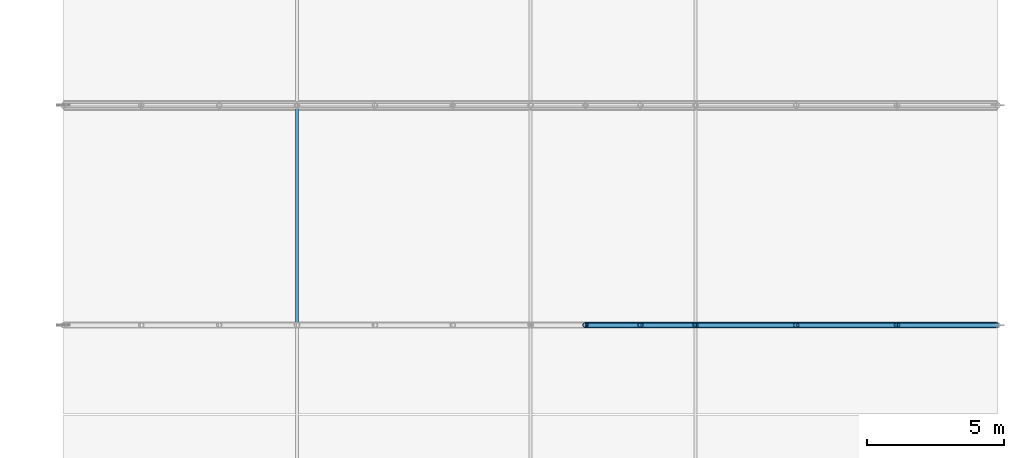
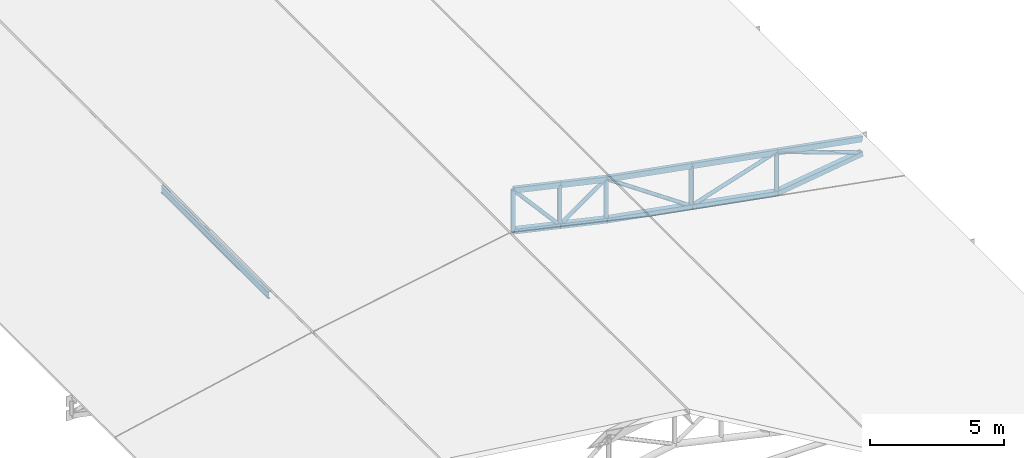
# One storey, part 12 of 28: 16 members, 5 beams.
"""IFC4 building model written with IfcOpenShell, lengths in metres."""

import ifcopenshell
import ifcopenshell.guid

model = None  # the IFC model being written
_history = None  # IfcOwnerHistory: only IFC2X3 demands one
_inside = {}  # id of a spatial element -> (the spatial element, [elements in it])
_under = {}  # id of a project, library or spatial element -> (it, [spatial elements below it])
_declared = {}  # id of a project -> (the project, [libraries it declares])
_typed = {}  # id of a type object -> (the type object, [elements of that type])
_made_of = {}  # id of a material, layer set ... -> (it, [elements and type objects made of it])


def new_model(schema):
    """Start an empty IFC model of exactly this schema.

    Asked for "IFC4X3", IfcOpenShell would pick the latest addendum, in which some entities
    have other attributes; the version numbers below select the first issue.
    IFC2X3 requires an IfcOwnerHistory on every rooted entity: one is made here for all.
    """
    global model, _history
    if schema == "IFC4X3":
        model = ifcopenshell.file(schema_version=(4, 3, 0, 0))
    else:
        model = ifcopenshell.file(schema=schema)
    _inside.clear()
    _under.clear()
    _declared.clear()
    _typed.clear()
    _made_of.clear()
    _history = None
    if model.schema == "IFC2X3":
        org = make("IfcOrganization", Name="unknown")
        user = make(
            "IfcPersonAndOrganization",
            ThePerson=make("IfcPerson", FamilyName="unknown"),
            TheOrganization=org,
        )
        app = make(
            "IfcApplication",
            ApplicationDeveloper=org,
            Version="unknown",
            ApplicationFullName="unknown",
            ApplicationIdentifier="unknown",
        )
        _history = make(
            "IfcOwnerHistory",
            OwningUser=user,
            OwningApplication=app,
            ChangeAction="ADDED",
            CreationDate=0,
        )
    return model


def make(cls, **values):
    """One entity of the class cls with the attributes given. An attribute that is None is left unset."""
    return model.create_entity(
        cls, **{name: value for name, value in values.items() if value is not None}
    )


def rooted(cls, **values):
    """An entity with a GlobalId (a new one), such as an element, a storey or a relation."""
    return make(cls, GlobalId=ifcopenshell.guid.new(), OwnerHistory=_history, **values)


def si_unit(unit_type, name, prefix=None):
    """IfcSIUnit, for example si_unit("LENGTHUNIT", "METRE", prefix="MILLI")."""
    return make("IfcSIUnit", UnitType=unit_type, Prefix=prefix, Name=name)


def assignment(units):
    """IfcUnitAssignment: the units of a project."""
    return None if units is None else make("IfcUnitAssignment", Units=units)


def point(xyz):
    """IfcCartesianPoint."""
    return None if xyz is None else make("IfcCartesianPoint", Coordinates=xyz)


def direction(xyz):
    """IfcDirection."""
    return None if xyz is None else make("IfcDirection", DirectionRatios=xyz)


def frame(location, z_axis=None, x_axis=None):
    """IfcAxis2Placement3D, a coordinate frame: its origin and axes. An axis left out is left unset."""
    return make(
        "IfcAxis2Placement3D",
        Location=point(location),
        Axis=direction(z_axis),
        RefDirection=direction(x_axis),
    )


def frame_2d(location, x_axis=None):
    """IfcAxis2Placement2D, a coordinate frame in the plane: its origin and x axis."""
    return make(
        "IfcAxis2Placement2D", Location=point(location), RefDirection=direction(x_axis)
    )


def origin():
    """The frame at (0, 0, 0) with its axes left unset."""
    return frame((0.0, 0.0, 0.0))


def origin_2d():
    """The frame at (0, 0) in the plane with its x axis left unset."""
    return frame_2d((0.0, 0.0))


def place(relative_to, where):
    """IfcLocalPlacement: puts the frame where relative to a parent placement (None: the world)."""
    return make(
        "IfcLocalPlacement", PlacementRelTo=relative_to, RelativePlacement=where
    )


def context(
    kind, dimensions, precision=None, world=None, true_north=None, identifier=None
):
    """IfcGeometricRepresentationContext, for example the 3D "Model" context."""
    return make(
        "IfcGeometricRepresentationContext",
        ContextIdentifier=identifier,
        ContextType=kind,
        CoordinateSpaceDimension=dimensions,
        Precision=precision,
        WorldCoordinateSystem=world,
        TrueNorth=true_north,
    )


def subcontext(parent, identifier, kind, view, scale=None):
    """IfcGeometricRepresentationSubContext, for example "Body" below "Model"."""
    return make(
        "IfcGeometricRepresentationSubContext",
        ContextIdentifier=identifier,
        ContextType=kind,
        ParentContext=parent,
        TargetScale=scale,
        TargetView=view,
    )


def project(units=None, contexts=None):
    """IfcProject with its units and contexts."""
    return rooted(
        "IfcProject",
        Name="project",
        RepresentationContexts=contexts,
        UnitsInContext=assignment(units),
    )


def spatial(cls, under=None, at=None, **own):
    """A site, building, storey or space (cls), placed at a placement, below another one or the project."""
    s = rooted(cls, ObjectPlacement=at, **own)
    if under is not None:
        _under.setdefault(under.id(), (under, []))[1].append(s)
    return s


def profile(cls, at=None, kind="AREA", **sizes):
    """A parametric profile (cls). Its sizes go by their IFC names, for example OverallWidth=200.0."""
    return make(cls, ProfileType=kind, Position=at, **sizes)


def hollow_rectangle(**sizes):
    """IfcRectangleHollowProfileDef."""
    return profile("IfcRectangleHollowProfileDef", **sizes)


def hollow_circle(**sizes):
    """IfcCircleHollowProfileDef."""
    return profile("IfcCircleHollowProfileDef", **sizes)


def i_section(**sizes):
    """IfcIShapeProfileDef."""
    return profile("IfcIShapeProfileDef", **sizes)


def extrude(swept, where, along, depth):
    """IfcExtrudedAreaSolid: the profile swept, set in the frame where, extruded along a direction by depth."""
    return make(
        "IfcExtrudedAreaSolid",
        SweptArea=swept,
        Position=where,
        ExtrudedDirection=direction(along),
        Depth=depth,
    )


def shape(context_of_items, identifier, shape_type, items):
    """IfcShapeRepresentation: the items that make up one representation, for example the "Body"."""
    return make(
        "IfcShapeRepresentation",
        ContextOfItems=context_of_items,
        RepresentationIdentifier=identifier,
        RepresentationType=shape_type,
        Items=items,
    )


def material(Name=None, Category=None):
    """IfcMaterial."""
    return make("IfcMaterial", Name=Name, Category=Category)


def material_profile(
    of_material, cross_section, Name=None, Category=None, Priority=None
):
    """IfcMaterialProfile: a cross section and its material."""
    return make(
        "IfcMaterialProfile",
        Name=Name,
        Material=of_material,
        Profile=cross_section,
        Priority=Priority,
        Category=Category,
    )


def profile_set(profiles, Name=None, composite=None):
    """IfcMaterialProfileSet."""
    return make(
        "IfcMaterialProfileSet",
        Name=Name,
        MaterialProfiles=profiles,
        CompositeProfile=composite,
    )


def made_of(thing, what):
    """Note that an element or type object is made of a material, layer set ...; save() writes the relation."""
    if what is not None:
        _made_of.setdefault(what.id(), (what, []))[1].append(thing)
    return thing


def type_object(cls, material=None, **own):
    """A type object (cls), such as IfcWallType, which elements share."""
    return made_of(rooted(cls, **own), material)


def element(
    cls,
    number,
    at=None,
    inside=None,
    cuts=None,
    type_object=None,
    material=None,
    context=None,
    identifier="Body",
    shape_type=None,
    held_by="IfcProductDefinitionShape",
    body=None,
    shapes=None,
    **own,
):
    """One element of the class cls, such as IfcWall. Its Tag is "e" and its number.

    at: its placement. inside: the storey or other place that contains it. cuts: it is an
    opening in that element (IfcRelVoidsElement). A single representation is given by context,
    identifier, shape_type and body (its items); several are given by shapes. held_by: the class
    of the entity that holds the representations. save() writes the other relations.
    """
    e = rooted(cls, Tag="e%d" % number, ObjectPlacement=at, **own)
    if body is not None:
        shapes = [shape(context, identifier, shape_type, body)]
    if shapes is not None:
        e.Representation = make(held_by, Representations=shapes)
    if inside is not None:
        _inside.setdefault(inside.id(), (inside, []))[1].append(e)
    if cuts is not None:
        rooted(
            "IfcRelVoidsElement", RelatingBuildingElement=cuts, RelatedOpeningElement=e
        )
    if type_object is not None:
        _typed.setdefault(type_object.id(), (type_object, []))[1].append(e)
    return made_of(e, material)


def aggregate(whole, parts):
    """IfcRelAggregates: a whole, such as a stair, and the parts it consists of."""
    return rooted("IfcRelAggregates", RelatingObject=whole, RelatedObjects=parts)


def save(model, path):
    """Write the relations noted so far, then the file.

    IfcRelAggregates (storeys below a building ...), IfcRelContainedInSpatialStructure (elements
    in a storey), IfcRelDefinesByType, IfcRelAssociatesMaterial and IfcRelDeclares: one each for
    every whole, place, type object, material and project.
    """
    for whole, parts in _under.values():
        aggregate(whole, parts)
    for where, things in _inside.values():
        rooted(
            "IfcRelContainedInSpatialStructure",
            RelatedElements=things,
            RelatingStructure=where,
        )
    for kind, things in _typed.values():
        rooted("IfcRelDefinesByType", RelatedObjects=things, RelatingType=kind)
    for what, things in _made_of.values():
        rooted("IfcRelAssociatesMaterial", RelatedObjects=things, RelatingMaterial=what)
    for by, libraries in _declared.values():
        rooted("IfcRelDeclares", RelatingContext=by, RelatedDefinitions=libraries)
    model.write(path)


model = new_model("IFC4")

# Units and contexts
model_context = context("Model", 3, precision=1e-05, world=origin(), true_north=direction((0.0, 1.0)))
body_context = subcontext(model_context, "Body", "Model", "MODEL_VIEW")
ifc_project = project(units=[si_unit("LENGTHUNIT", "METRE"), si_unit("AREAUNIT", "SQUARE_METRE"), si_unit("VOLUMEUNIT", "CUBIC_METRE"), si_unit("PLANEANGLEUNIT", "RADIAN"), si_unit("MASSUNIT", "GRAM", prefix="KILO"), si_unit("THERMODYNAMICTEMPERATUREUNIT", "KELVIN"), si_unit("POWERUNIT", "WATT")], contexts=[model_context])

# Site, building, storey
site_placement = place(None, origin())
site = spatial("IfcSite", under=ifc_project, at=site_placement, CompositionType="ELEMENT")
building_placement = place(site_placement, origin())
building = spatial("IfcBuilding", under=site, at=building_placement, Name="Tepalcoro Natatorium and Aquatics Centre", CompositionType="ELEMENT")
storey_placement = place(building_placement, frame((0.0, 0.0, 23.199951171875)))
storey = spatial("IfcBuildingStorey", under=building, at=storey_placement, Name="RF", CompositionType="ELEMENT", Elevation=23.199951171875)

# Beams
ifc_material_1 = material(Name="Terracotta Painted Hollow Steel ASTM A500 Grade C (Fy 345 MPa)", Category="masonry")
ifc_material_profile_1 = material_profile(ifc_material_1, hollow_rectangle(XDim=0.14990234375, YDim=0.25, WallThickness=0.011962890625, at=origin_2d()), Name="HSS250X150X12")
ifc_profile_set_1 = profile_set([ifc_material_profile_1], Name="Terracotta Painted Hollow Steel ASTM A500 Grade C (Fy 345 MPa)")
beam_type = type_object("IfcBeamType", Name="AC_HSS250x150x12", PredefinedType="USERDEFINED", material=ifc_profile_set_1)
for number, where, z_axis, x_axis, name in (
    (1, (161.0, 36.0, -0.677978515625), (0.97561485681, 0.0, -0.21948952406), (0.0, 1.0, 0.0), "V2 Barrel-Arch Top Chord 5"),
    (2, (163.0, 36.0, -1.1279296875), (0.97561485681, 0.0, -0.21948952406), (0.0, 1.0, 0.0), "V2 Barrel-Arch Top Chord 5"),
):
    element("IfcBeam", number, at=place(storey_placement, frame(where, z_axis=z_axis, x_axis=x_axis)), inside=storey, type_object=beam_type, Name=name, ObjectType="ARCH CHORD", PredefinedType="USERDEFINED", context=body_context, shape_type="SweptSolid", body=[
        extrude(hollow_rectangle(XDim=0.14990234375, YDim=0.25, WallThickness=0.011962890625, at=origin_2d()), origin(), (0.0, 0.0, 1.0), 2.050048828125),
    ])
beam_1_placement = place(storey_placement, frame((165.0, 36.0, -1.577880859375), z_axis=(0.983704964567, 0.0, -0.179790274169), x_axis=(0.0, 1.0, 0.0)))
element("IfcBeam", 3, at=beam_1_placement, inside=storey, type_object=beam_type, Name="V2 Barrel-Arch Top Chord 5", ObjectType="ARCH CHORD", PredefinedType="USERDEFINED", context=body_context, shape_type="SweptSolid", body=[
    extrude(hollow_rectangle(XDim=0.14990234375, YDim=0.25, WallThickness=0.011962890625, at=origin_2d()), origin(), (0.0, 0.0, 1.0), 3.7275390625),
])
beam_2_placement = place(storey_placement, frame((168.666748046875, 36.0, -2.248046875), z_axis=(0.983714430655, 0.0, -0.179738473679), x_axis=(0.0, 1.0, 0.0)))
element("IfcBeam", 4, at=beam_2_placement, inside=storey, type_object=beam_type, Name="V2 Barrel-Arch Top Chord 5", ObjectType="ARCH CHORD", PredefinedType="USERDEFINED", context=body_context, shape_type="SweptSolid", body=[
    extrude(hollow_rectangle(XDim=0.14990234375, YDim=0.25, WallThickness=0.011962890625, at=origin_2d()), origin(), (0.0, 0.0, 1.0), 3.727294921875),
])
beam_3_placement = place(storey_placement, frame((172.333251953125, 36.0, -2.91796875), z_axis=(0.983716546565, 0.0, -0.179726892854), x_axis=(0.0, 1.0, 0.0)))
element("IfcBeam", 5, at=beam_3_placement, inside=storey, type_object=beam_type, Name="V2 Barrel-Arch Top Chord 5", ObjectType="ARCH CHORD", PredefinedType="USERDEFINED", context=body_context, shape_type="SweptSolid", body=[
    extrude(hollow_rectangle(XDim=0.14990234375, YDim=0.25, WallThickness=0.011962890625, at=origin_2d()), origin(), (0.0, 0.0, 1.0), 3.7275390625),
])

# Members
ifc_material_profile_2 = material_profile(ifc_material_1, hollow_rectangle(XDim=0.219970703125, YDim=0.219970703125, WallThickness=0.011962890625, at=origin_2d()), Name="HSS220X220X12")
ifc_profile_set_2 = profile_set([ifc_material_profile_2], Name="Terracotta Painted Hollow Steel ASTM A500 Grade C (Fy 345 MPa)")
member_type_1 = type_object("IfcMemberType", Name="MB_CH_HSS220x220x12", PredefinedType="CHORD", material=ifc_profile_set_2)
for number, where, z_axis, x_axis, name in (
    (6, (161.0, 36.0, -2.52783203125), (0.975589348514, 0.0, -0.219602875813), (0.0, 1.0, 0.0), "V2 Barrel-Arch Bottom Chord 5"),
    (7, (163.0, 36.0, -2.97802734375), (0.97561485681, 0.0, -0.21948952406), (0.0, 1.0, 0.0), "V2 Barrel-Arch Bottom Chord 5"),
):
    element("IfcMember", number, at=place(storey_placement, frame(where, z_axis=z_axis, x_axis=x_axis)), inside=storey, type_object=member_type_1, Name=name, PredefinedType="CHORD", context=body_context, shape_type="SweptSolid", body=[
        extrude(hollow_rectangle(XDim=0.219970703125, YDim=0.219970703125, WallThickness=0.011962890625, at=origin_2d()), origin(), (0.0, 0.0, 1.0), 2.050048828125),
    ])
member_1_placement = place(storey_placement, frame((165.0, 36.0, -3.427978515625), z_axis=(0.983716546565, 0.0, -0.179726892854), x_axis=(0.0, 1.0, 0.0)))
element("IfcMember", 8, at=member_1_placement, inside=storey, type_object=member_type_1, Name="V2 Barrel-Arch Bottom Chord 5", PredefinedType="CHORD", context=body_context, shape_type="SweptSolid", body=[
    extrude(hollow_rectangle(XDim=0.219970703125, YDim=0.219970703125, WallThickness=0.011962890625, at=origin_2d()), origin(), (0.0, 0.0, 1.0), 3.7275390625),
])
member_2_placement = place(storey_placement, frame((168.666748046875, 36.0, -4.097900390625), z_axis=(0.98370284719, 0.0, -0.179801858805), x_axis=(0.0, 1.0, 0.0)))
element("IfcMember", 9, at=member_2_placement, inside=storey, type_object=member_type_1, Name="V2 Barrel-Arch Bottom Chord 5", PredefinedType="CHORD", context=body_context, shape_type="SweptSolid", body=[
    extrude(hollow_rectangle(XDim=0.219970703125, YDim=0.219970703125, WallThickness=0.011962890625, at=origin_2d()), origin(), (0.0, 0.0, 1.0), 3.727294921875),
])
member_3_placement = place(storey_placement, frame((172.333251953125, 36.0, -4.76806640625), z_axis=(0.98971353676, 0.0, 0.143063325675), x_axis=(0.0, 1.0, 0.0)))
element("IfcMember", 10, at=member_3_placement, inside=storey, type_object=member_type_1, Name="V2 Barrel-Arch Bottom Chord 5", PredefinedType="CHORD", context=body_context, shape_type="SweptSolid", body=[
    extrude(hollow_rectangle(XDim=0.219970703125, YDim=0.219970703125, WallThickness=0.011962890625, at=origin_2d()), origin(), (0.0, 0.0, 1.0), 3.704833984375),
])
ifc_material_2 = material(Name="Steel ASTM A992 Grade 50 (Fy 345 MPa)", Category="steel")
ifc_material_profile_3 = material_profile(ifc_material_2, i_section(OverallWidth=0.10205078125, OverallDepth=0.31201171875, WebThickness=0.007080078125, FlangeThickness=0.010986328125, FilletRadius=0.013916015625, at=origin_2d()), Name="W12X22")
ifc_profile_set_3 = profile_set([ifc_material_profile_3], Name="Steel ASTM A992 Grade 50 (Fy 345 MPa)")
member_type_2 = type_object("IfcMemberType", Name="MB_PR_W12x22", PredefinedType="PURLIN", material=ifc_profile_set_3)
member_4_placement = place(storey_placement, frame((150.5, 36.0, -1.808837890625), z_axis=(0.0, 1.0, 0.0), x_axis=(-1.0, 0.0, 0.0)))
element("IfcMember", 11, at=member_4_placement, inside=storey, type_object=member_type_2, Name="V2 Barrel-Arch Roof Purlin", PredefinedType="PURLIN", context=body_context, shape_type="SweptSolid", body=[
    extrude(i_section(OverallWidth=0.10205078125, OverallDepth=0.31201171875, WebThickness=0.007080078125, FlangeThickness=0.010986328125, FilletRadius=0.013916015625, at=origin_2d()), origin(), (0.0, 0.0, 1.0), 8.0),
])
ifc_material_profile_4 = material_profile(ifc_material_1, hollow_circle(Radius=0.096923828125, WallThickness=0.010009765625, at=origin_2d()), Name="CHS194X10")
ifc_profile_set_4 = profile_set([ifc_material_profile_4], Name="Terracotta Painted Hollow Steel ASTM A500 Grade C (Fy 345 MPa)")
member_type_3 = type_object("IfcMemberType", Name="MB_PS_CHS194x10", PredefinedType="POST", material=ifc_profile_set_4)
member_5_placement = place(storey_placement, frame((161.0, 36.0, -2.52783203125), z_axis=(0.0, 0.0, 1.0), x_axis=(1.0, 0.0, 0.0)))
element("IfcMember", 12, at=member_5_placement, inside=storey, type_object=member_type_3, Name="V2 Barrel-Arch Post 5", PredefinedType="POST", context=body_context, shape_type="SweptSolid", body=[
    extrude(hollow_circle(Radius=0.096923828125, WallThickness=0.010009765625, at=origin_2d()), origin(), (0.0, 0.0, 1.0), 1.849853515625),
])
for number, where, z_axis, x_axis, name in (
    (13, (163.0, 36.0, -2.97802734375), (0.0, 0.0, 1.0), (1.0, 0.0, 0.0), "V2 Barrel-Arch Post 5"),
    (14, (165.0, 36.0, -3.427978515625), (0.0, 0.0, 1.0), (1.0, 0.0, 0.0), "V2 Barrel-Arch Post 5"),
):
    element("IfcMember", number, at=place(storey_placement, frame(where, z_axis=z_axis, x_axis=x_axis)), inside=storey, type_object=member_type_3, Name=name, PredefinedType="POST", context=body_context, shape_type="SweptSolid", body=[
        extrude(hollow_circle(Radius=0.096923828125, WallThickness=0.010009765625, at=origin_2d()), origin(), (0.0, 0.0, 1.0), 1.85009765625),
    ])
member_6_placement = place(storey_placement, frame((168.666748046875, 36.0, -4.097900390625), z_axis=(0.0, 0.0, 1.0), x_axis=(1.0, 0.0, 0.0)))
element("IfcMember", 15, at=member_6_placement, inside=storey, type_object=member_type_3, Name="V2 Barrel-Arch Post 5", PredefinedType="POST", context=body_context, shape_type="SweptSolid", body=[
    extrude(hollow_circle(Radius=0.096923828125, WallThickness=0.010009765625, at=origin_2d()), origin(), (0.0, 0.0, 1.0), 1.849853515625),
])
member_7_placement = place(storey_placement, frame((172.333251953125, 36.0, -4.76806640625), z_axis=(0.0, 0.0, 1.0), x_axis=(1.0, 0.0, 0.0)))
element("IfcMember", 16, at=member_7_placement, inside=storey, type_object=member_type_3, Name="V2 Barrel-Arch Post 5", PredefinedType="POST", context=body_context, shape_type="SweptSolid", body=[
    extrude(hollow_circle(Radius=0.096923828125, WallThickness=0.010009765625, at=origin_2d()), origin(), (0.0, 0.0, 1.0), 1.85009765625),
])
ifc_material_profile_5 = material_profile(ifc_material_1, hollow_circle(Radius=0.083984375, WallThickness=0.011962890625, at=origin_2d()), Name="CHS168X12")
ifc_profile_set_5 = profile_set([ifc_material_profile_5], Name="Terracotta Painted Hollow Steel ASTM A500 Grade C (Fy 345 MPa)")
member_type_4 = type_object("IfcMemberType", Name="MB_ST_CHS168x12", PredefinedType="STRUT", material=ifc_profile_set_5)
member_8_placement = place(storey_placement, frame((161.0, 36.0, -0.677978515625), z_axis=(0.65617078259, 0.0, -0.754612419773), x_axis=(0.0, 1.0, 0.0)))
element("IfcMember", 17, at=member_8_placement, inside=storey, type_object=member_type_4, Name="V2 Barrel-Arch Web Diagonal 5", PredefinedType="STRUT", context=body_context, shape_type="SweptSolid", body=[
    extrude(hollow_circle(Radius=0.083984375, WallThickness=0.011962890625, at=origin_2d()), origin(), (0.0, 0.0, 1.0), 3.048095703125),
])
member_9_placement = place(storey_placement, frame((163.0, 36.0, -2.97802734375), z_axis=(0.819203731481, 0.0, 0.57350261231), x_axis=(0.0, 1.0, 0.0)))
element("IfcMember", 18, at=member_9_placement, inside=storey, type_object=member_type_4, Name="V2 Barrel-Arch Web Diagonal 5", PredefinedType="STRUT", context=body_context, shape_type="SweptSolid", body=[
    extrude(hollow_circle(Radius=0.083984375, WallThickness=0.011962890625, at=origin_2d()), origin(), (0.0, 0.0, 1.0), 2.44140625),
])
member_10_placement = place(storey_placement, frame((165.0, 36.0, -1.577880859375), z_axis=(0.82413317395, 0.0, -0.566396073075), x_axis=(0.0, 1.0, 0.0)))
element("IfcMember", 19, at=member_10_placement, inside=storey, type_object=member_type_4, Name="V2 Barrel-Arch Web Diagonal 5", PredefinedType="STRUT", context=body_context, shape_type="SweptSolid", body=[
    extrude(hollow_circle(Radius=0.083984375, WallThickness=0.011962890625, at=origin_2d()), origin(), (0.0, 0.0, 1.0), 4.44921875),
])
member_11_placement = place(storey_placement, frame((168.666748046875, 36.0, -4.097900390625), z_axis=(0.951921664085, 0.0, 0.306341550308), x_axis=(0.0, 1.0, 0.0)))
element("IfcMember", 20, at=member_11_placement, inside=storey, type_object=member_type_4, Name="V2 Barrel-Arch Web Diagonal 5", PredefinedType="STRUT", context=body_context, shape_type="SweptSolid", body=[
    extrude(hollow_circle(Radius=0.083984375, WallThickness=0.011962890625, at=origin_2d()), origin(), (0.0, 0.0, 1.0), 3.851806640625),
])
member_12_placement = place(storey_placement, frame((172.333251953125, 36.0, -2.91796875), z_axis=(0.9408842174, 0.0, -0.338728341666), x_axis=(0.0, 1.0, 0.0)))
element("IfcMember", 21, at=member_12_placement, inside=storey, type_object=member_type_4, Name="V2 Barrel-Arch Web Diagonal 5", PredefinedType="STRUT", context=body_context, shape_type="SweptSolid", body=[
    extrude(hollow_circle(Radius=0.083984375, WallThickness=0.011962890625, at=origin_2d()), origin(), (0.0, 0.0, 1.0), 3.897216796875),
])

save(model, "model.ifc")
